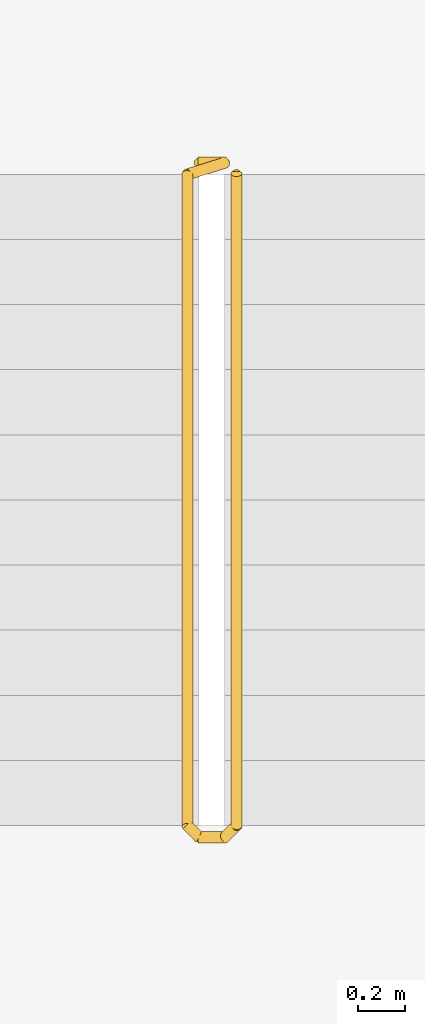
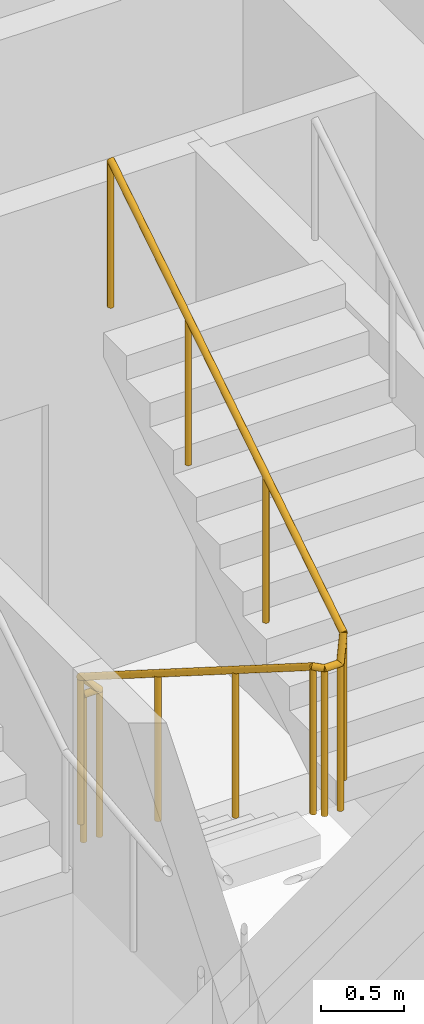
# One storey, part 18 of 18: 1 railing.
"""IFC4 building model written with IfcOpenShell, lengths in metres."""

from ifc_helpers import new_model, si_unit, direction, frame, origin, origin_2d, place, context, subcontext, project, spatial, circle, extrude, material, type_object, element, save


model = new_model("IFC4")

# Units and contexts
model_context = context("Model", 3, precision=1e-05, world=origin(), true_north=direction((0.0, 1.0)))
body_context = subcontext(model_context, "Body", "Model", "MODEL_VIEW")
ifc_project = project(units=[si_unit("LENGTHUNIT", "METRE"), si_unit("AREAUNIT", "SQUARE_METRE"), si_unit("VOLUMEUNIT", "CUBIC_METRE"), si_unit("PLANEANGLEUNIT", "RADIAN"), si_unit("MASSUNIT", "GRAM", prefix="KILO")], contexts=[model_context])

# Site, building, storey
site_placement = place(None, origin())
site = spatial("IfcSite", under=ifc_project, at=site_placement, CompositionType="ELEMENT")
building_placement = place(site_placement, origin())
building = spatial("IfcBuilding", under=site, at=building_placement, Name="Tessera Arch", CompositionType="ELEMENT")
storey_placement = place(building_placement, frame((0.0, 0.0, 154.39990234375)))
storey = spatial("IfcBuildingStorey", under=building, at=storey_placement, Name="L36", CompositionType="ELEMENT", Elevation=154.39990234375)

# Railing
ifc_material = material(Name="Painted steel balustrade", Category="steel")
railing_type = type_object("IfcRailingType", Name="Stair guard 1100", PredefinedType="GUARDRAIL", material=ifc_material)
railing_placement = place(storey_placement, frame((44.919921875, 43.6298828125, 0.0)))
element("IfcRailing", 1, at=railing_placement, inside=storey, type_object=railing_type, Name="L36 S1c stair guard 1", PredefinedType="GUARDRAIL", context=body_context, shape_type="SweptSolid", body=[
    extrude(circle(Radius=0.02392578125, at=origin_2d()), frame((-0.00390625, 0.0, 1.076171875), z_axis=(1.0, 0.0, 0.0), x_axis=(0.0, 1.0, 0.0)), (0.0, 0.0, 1.0), 0.1181640625),
    extrude(circle(Radius=0.02392578125, at=origin_2d()), frame((0.11279296875, 0.000732421875, 1.0732421875), z_axis=(-0.655271994328, -0.204084712737, 0.727301892941), x_axis=(0.297361876254, -0.954764847777, 0.0)), (0.0, 0.0, 1.0), 0.251953125),
    extrude(circle(Radius=0.02392578125, at=origin_2d()), frame((-0.0498046875, -0.04638671875, 1.25146484375), z_axis=(0.0, -0.844908973607, 0.534910110503), x_axis=(1.0, 0.0, 0.0)), (0.0, 0.0, 1.0), 3.322021484375),
    extrude(circle(Radius=0.02392578125, at=origin_2d()), frame((-0.052734375, -2.846923828125, 3.0263671875), z_axis=(0.705375805398, -0.708833529934, 0.0), x_axis=(0.708833529934, 0.705375805398, 0.0)), (0.0, 0.0, 1.0), 0.07861328125),
    extrude(circle(Radius=0.02392578125, at=origin_2d()), frame((-0.00390625, -2.89990234375, 3.0263671875), z_axis=(1.0, 0.0, 0.0), x_axis=(0.0, 1.0, 0.0)), (0.0, 0.0, 1.0), 0.1181640625),
    extrude(circle(Radius=0.02392578125, at=origin_2d()), frame((0.109130859375, -2.90087890625, 3.0224609375), z_axis=(0.262233686654, 0.262233686654, 0.928691007369), x_axis=(-0.707106781187, 0.707106781187, 0.0)), (0.0, 0.0, 1.0), 0.198974609375),
    extrude(circle(Radius=0.02392578125, at=origin_2d()), frame((0.16015625, -2.853271484375, 3.201416015625), z_axis=(0.0, 0.844908973607, 0.534910110503), x_axis=(-1.0, 0.0, 0.0)), (0.0, 0.0, 1.0), 3.322021484375),
    extrude(circle(Radius=0.02099609375, at=origin_2d()), origin(), (0.0, 0.0, 1.0), 1.06396484375),
    extrude(circle(Radius=0.02099609375, at=origin_2d()), frame((0.110107421875, 0.0, 0.0)), (0.0, 0.0, 1.0), 1.06396484375),
    extrude(circle(Radius=0.02099609375, at=origin_2d()), frame((-0.0498046875, -0.0498046875, 0.177490234375)), (0.0, 0.0, 1.0), 1.06396484375),
    extrude(circle(Radius=0.02099609375, at=origin_2d()), frame((-0.0498046875, -0.983154296875, 0.768310546875)), (0.0, 0.0, 1.0), 1.06396484375),
    extrude(circle(Radius=0.02099609375, at=origin_2d()), frame((-0.0498046875, -1.91650390625, 1.359375)), (0.0, 0.0, 1.0), 1.06396484375),
    extrude(circle(Radius=0.02099609375, at=origin_2d()), frame((-0.0498046875, -2.849853515625, 1.9501953125)), (0.0, 0.0, 1.0), 1.06396484375),
    extrude(circle(Radius=0.02099609375, at=origin_2d()), frame((0.0, -2.89990234375, 1.9501953125)), (0.0, 0.0, 1.0), 1.06396484375),
    extrude(circle(Radius=0.02099609375, at=origin_2d()), frame((0.110107421875, -2.89990234375, 1.9501953125)), (0.0, 0.0, 1.0), 1.06396484375),
    extrude(circle(Radius=0.02099609375, at=origin_2d()), frame((0.16015625, -2.849853515625, 2.12744140625)), (0.0, 0.0, 1.0), 1.06396484375),
    extrude(circle(Radius=0.02099609375, at=origin_2d()), frame((0.16015625, -1.91650390625, 2.71826171875)), (0.0, 0.0, 1.0), 1.06396484375),
    extrude(circle(Radius=0.02099609375, at=origin_2d()), frame((0.16015625, -0.983154296875, 3.309326171875)), (0.0, 0.0, 1.0), 1.06396484375),
    extrude(circle(Radius=0.02099609375, at=origin_2d()), frame((0.16015625, -0.0498046875, 3.900146484375)), (0.0, 0.0, 1.0), 1.06396484375),
])

save(model, "model.ifc")
